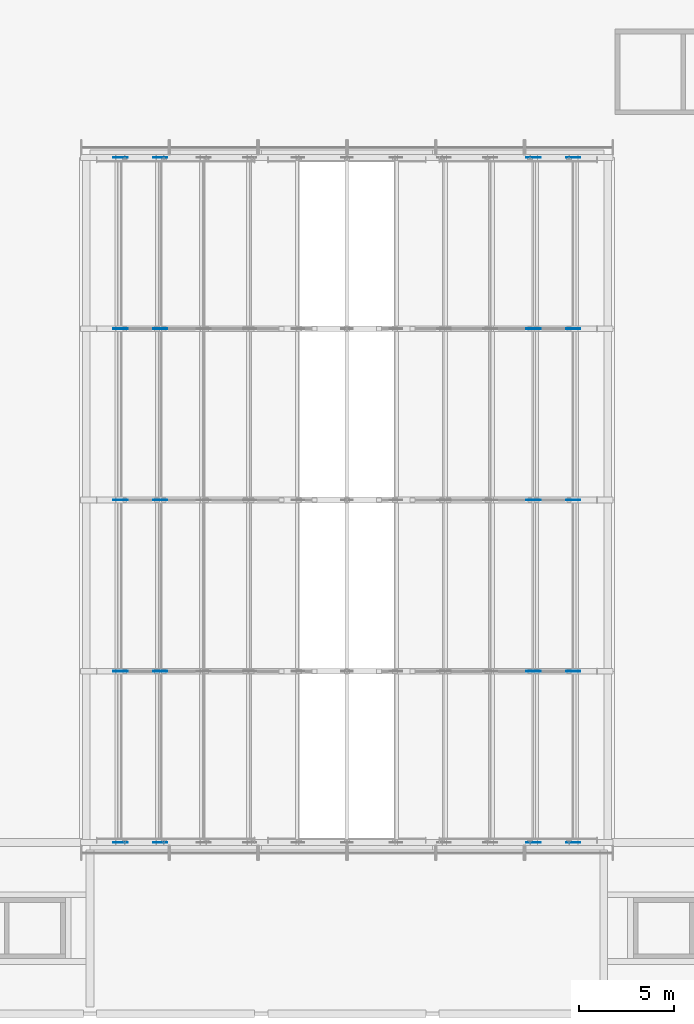
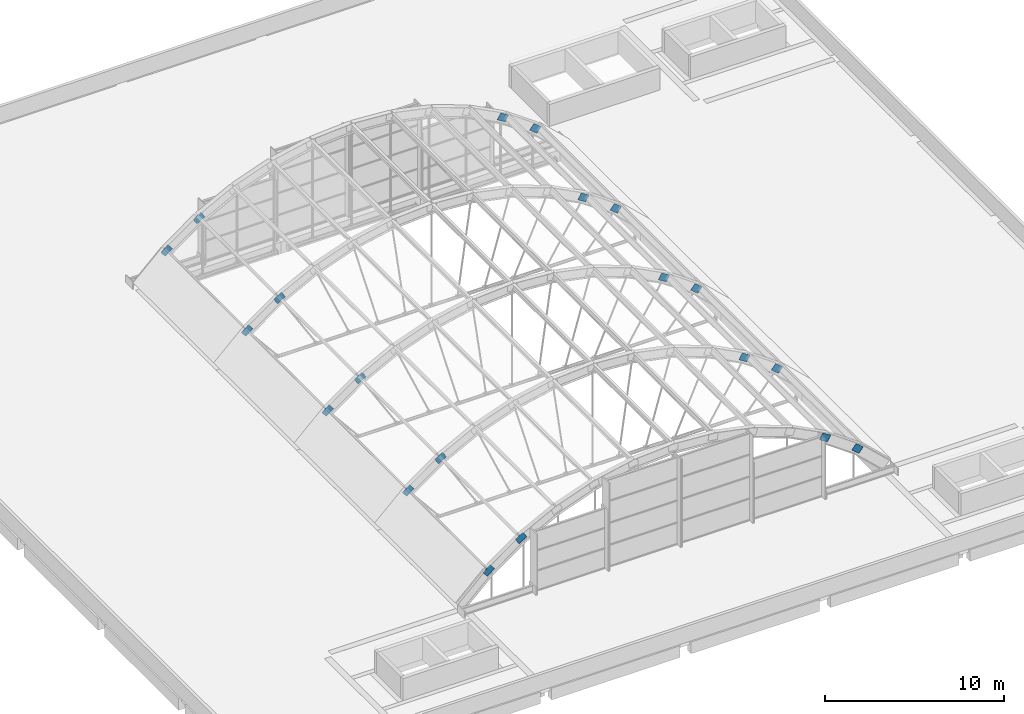
# One storey, part 36 of 43: 40 discrete accessories.
"""IFC4 building model written with IfcOpenShell, lengths in metres."""

import ifcopenshell
import ifcopenshell.guid

model = None  # the IFC model being written
_history = None  # IfcOwnerHistory: only IFC2X3 demands one
_inside = {}  # id of a spatial element -> (the spatial element, [elements in it])
_under = {}  # id of a project, library or spatial element -> (it, [spatial elements below it])
_declared = {}  # id of a project -> (the project, [libraries it declares])
_typed = {}  # id of a type object -> (the type object, [elements of that type])
_made_of = {}  # id of a material, layer set ... -> (it, [elements and type objects made of it])


def new_model(schema):
    """Start an empty IFC model of exactly this schema.

    Asked for "IFC4X3", IfcOpenShell would pick the latest addendum, in which some entities
    have other attributes; the version numbers below select the first issue.
    IFC2X3 requires an IfcOwnerHistory on every rooted entity: one is made here for all.
    """
    global model, _history
    if schema == "IFC4X3":
        model = ifcopenshell.file(schema_version=(4, 3, 0, 0))
    else:
        model = ifcopenshell.file(schema=schema)
    _inside.clear()
    _under.clear()
    _declared.clear()
    _typed.clear()
    _made_of.clear()
    _history = None
    if model.schema == "IFC2X3":
        org = make("IfcOrganization", Name="unknown")
        user = make(
            "IfcPersonAndOrganization",
            ThePerson=make("IfcPerson", FamilyName="unknown"),
            TheOrganization=org,
        )
        app = make(
            "IfcApplication",
            ApplicationDeveloper=org,
            Version="unknown",
            ApplicationFullName="unknown",
            ApplicationIdentifier="unknown",
        )
        _history = make(
            "IfcOwnerHistory",
            OwningUser=user,
            OwningApplication=app,
            ChangeAction="ADDED",
            CreationDate=0,
        )
    return model


def make(cls, **values):
    """One entity of the class cls with the attributes given. An attribute that is None is left unset."""
    return model.create_entity(
        cls, **{name: value for name, value in values.items() if value is not None}
    )


def rooted(cls, **values):
    """An entity with a GlobalId (a new one), such as an element, a storey or a relation."""
    return make(cls, GlobalId=ifcopenshell.guid.new(), OwnerHistory=_history, **values)


def si_unit(unit_type, name, prefix=None):
    """IfcSIUnit, for example si_unit("LENGTHUNIT", "METRE", prefix="MILLI")."""
    return make("IfcSIUnit", UnitType=unit_type, Prefix=prefix, Name=name)


def assignment(units):
    """IfcUnitAssignment: the units of a project."""
    return None if units is None else make("IfcUnitAssignment", Units=units)


def point(xyz):
    """IfcCartesianPoint."""
    return None if xyz is None else make("IfcCartesianPoint", Coordinates=xyz)


def direction(xyz):
    """IfcDirection."""
    return None if xyz is None else make("IfcDirection", DirectionRatios=xyz)


def frame(location, z_axis=None, x_axis=None):
    """IfcAxis2Placement3D, a coordinate frame: its origin and axes. An axis left out is left unset."""
    return make(
        "IfcAxis2Placement3D",
        Location=point(location),
        Axis=direction(z_axis),
        RefDirection=direction(x_axis),
    )


def frame_2d(location, x_axis=None):
    """IfcAxis2Placement2D, a coordinate frame in the plane: its origin and x axis."""
    return make(
        "IfcAxis2Placement2D", Location=point(location), RefDirection=direction(x_axis)
    )


def origin():
    """The frame at (0, 0, 0) with its axes left unset."""
    return frame((0.0, 0.0, 0.0))


def origin_2d():
    """The frame at (0, 0) in the plane with its x axis left unset."""
    return frame_2d((0.0, 0.0))


def place(relative_to, where):
    """IfcLocalPlacement: puts the frame where relative to a parent placement (None: the world)."""
    return make(
        "IfcLocalPlacement", PlacementRelTo=relative_to, RelativePlacement=where
    )


def context(
    kind, dimensions, precision=None, world=None, true_north=None, identifier=None
):
    """IfcGeometricRepresentationContext, for example the 3D "Model" context."""
    return make(
        "IfcGeometricRepresentationContext",
        ContextIdentifier=identifier,
        ContextType=kind,
        CoordinateSpaceDimension=dimensions,
        Precision=precision,
        WorldCoordinateSystem=world,
        TrueNorth=true_north,
    )


def subcontext(parent, identifier, kind, view, scale=None):
    """IfcGeometricRepresentationSubContext, for example "Body" below "Model"."""
    return make(
        "IfcGeometricRepresentationSubContext",
        ContextIdentifier=identifier,
        ContextType=kind,
        ParentContext=parent,
        TargetScale=scale,
        TargetView=view,
    )


def project(units=None, contexts=None):
    """IfcProject with its units and contexts."""
    return rooted(
        "IfcProject",
        Name="project",
        RepresentationContexts=contexts,
        UnitsInContext=assignment(units),
    )


def spatial(cls, under=None, at=None, **own):
    """A site, building, storey or space (cls), placed at a placement, below another one or the project."""
    s = rooted(cls, ObjectPlacement=at, **own)
    if under is not None:
        _under.setdefault(under.id(), (under, []))[1].append(s)
    return s


def profile(cls, at=None, kind="AREA", **sizes):
    """A parametric profile (cls). Its sizes go by their IFC names, for example OverallWidth=200.0."""
    return make(cls, ProfileType=kind, Position=at, **sizes)


def rectangle(**sizes):
    """IfcRectangleProfileDef."""
    return profile("IfcRectangleProfileDef", **sizes)


def extrude(swept, where, along, depth):
    """IfcExtrudedAreaSolid: the profile swept, set in the frame where, extruded along a direction by depth."""
    return make(
        "IfcExtrudedAreaSolid",
        SweptArea=swept,
        Position=where,
        ExtrudedDirection=direction(along),
        Depth=depth,
    )


def shape(context_of_items, identifier, shape_type, items):
    """IfcShapeRepresentation: the items that make up one representation, for example the "Body"."""
    return make(
        "IfcShapeRepresentation",
        ContextOfItems=context_of_items,
        RepresentationIdentifier=identifier,
        RepresentationType=shape_type,
        Items=items,
    )


def material(Name=None, Category=None):
    """IfcMaterial."""
    return make("IfcMaterial", Name=Name, Category=Category)


def material_profile(
    of_material, cross_section, Name=None, Category=None, Priority=None
):
    """IfcMaterialProfile: a cross section and its material."""
    return make(
        "IfcMaterialProfile",
        Name=Name,
        Material=of_material,
        Profile=cross_section,
        Priority=Priority,
        Category=Category,
    )


def profile_set(profiles, Name=None, composite=None):
    """IfcMaterialProfileSet."""
    return make(
        "IfcMaterialProfileSet",
        Name=Name,
        MaterialProfiles=profiles,
        CompositeProfile=composite,
    )


def made_of(thing, what):
    """Note that an element or type object is made of a material, layer set ...; save() writes the relation."""
    if what is not None:
        _made_of.setdefault(what.id(), (what, []))[1].append(thing)
    return thing


def type_object(cls, material=None, **own):
    """A type object (cls), such as IfcWallType, which elements share."""
    return made_of(rooted(cls, **own), material)


def element(
    cls,
    number,
    at=None,
    inside=None,
    cuts=None,
    type_object=None,
    material=None,
    context=None,
    identifier="Body",
    shape_type=None,
    held_by="IfcProductDefinitionShape",
    body=None,
    shapes=None,
    **own,
):
    """One element of the class cls, such as IfcWall. Its Tag is "e" and its number.

    at: its placement. inside: the storey or other place that contains it. cuts: it is an
    opening in that element (IfcRelVoidsElement). A single representation is given by context,
    identifier, shape_type and body (its items); several are given by shapes. held_by: the class
    of the entity that holds the representations. save() writes the other relations.
    """
    e = rooted(cls, Tag="e%d" % number, ObjectPlacement=at, **own)
    if body is not None:
        shapes = [shape(context, identifier, shape_type, body)]
    if shapes is not None:
        e.Representation = make(held_by, Representations=shapes)
    if inside is not None:
        _inside.setdefault(inside.id(), (inside, []))[1].append(e)
    if cuts is not None:
        rooted(
            "IfcRelVoidsElement", RelatingBuildingElement=cuts, RelatedOpeningElement=e
        )
    if type_object is not None:
        _typed.setdefault(type_object.id(), (type_object, []))[1].append(e)
    return made_of(e, material)


def aggregate(whole, parts):
    """IfcRelAggregates: a whole, such as a stair, and the parts it consists of."""
    return rooted("IfcRelAggregates", RelatingObject=whole, RelatedObjects=parts)


def save(model, path):
    """Write the relations noted so far, then the file.

    IfcRelAggregates (storeys below a building ...), IfcRelContainedInSpatialStructure (elements
    in a storey), IfcRelDefinesByType, IfcRelAssociatesMaterial and IfcRelDeclares: one each for
    every whole, place, type object, material and project.
    """
    for whole, parts in _under.values():
        aggregate(whole, parts)
    for where, things in _inside.values():
        rooted(
            "IfcRelContainedInSpatialStructure",
            RelatedElements=things,
            RelatingStructure=where,
        )
    for kind, things in _typed.values():
        rooted("IfcRelDefinesByType", RelatedObjects=things, RelatingType=kind)
    for what, things in _made_of.values():
        rooted("IfcRelAssociatesMaterial", RelatedObjects=things, RelatingMaterial=what)
    for by, libraries in _declared.values():
        rooted("IfcRelDeclares", RelatingContext=by, RelatedDefinitions=libraries)
    model.write(path)


model = new_model("IFC4")

# Units and contexts
model_context = context("Model", 3, precision=1e-05, world=origin(), true_north=direction((0.0, 1.0)))
body_context = subcontext(model_context, "Body", "Model", "MODEL_VIEW")
ifc_project = project(units=[si_unit("LENGTHUNIT", "METRE"), si_unit("AREAUNIT", "SQUARE_METRE"), si_unit("VOLUMEUNIT", "CUBIC_METRE"), si_unit("PLANEANGLEUNIT", "RADIAN"), si_unit("MASSUNIT", "GRAM", prefix="KILO")], contexts=[model_context])

# Site, building, storey
site_placement = place(None, origin())
site = spatial("IfcSite", under=ifc_project, at=site_placement, CompositionType="ELEMENT")
building_placement = place(site_placement, origin())
building = spatial("IfcBuilding", under=site, at=building_placement, Name="Guidao Yard Department Store", CompositionType="ELEMENT")
storey_placement = place(building_placement, frame((0.0, 0.0, 28.5)))
storey = spatial("IfcBuildingStorey", under=building, at=storey_placement, Name="L06", CompositionType="ELEMENT", Elevation=28.5)

# Discrete accessories
ifc_material = material(Name="Steel Q355B", Category="steel")
ifc_material_profile = material_profile(ifc_material, rectangle(XDim=0.011962890625, YDim=0.449951171875, at=origin_2d()), Name="Splice plate 450x12")
ifc_profile_set = profile_set([ifc_material_profile], Name="Steel Q355B")
discrete_accessory_type = type_object("IfcDiscreteAccessoryType", Name="Rib splice plate SP2 steel", PredefinedType="BRACKET", material=ifc_profile_set)
for number, where, z_axis, x_axis, name in (
    (1, (19.371826171875, 53.987548828125, 1.821533203125), (0.772704870869, 0.0, 0.634765454743), (0.0, 1.0, 0.0), "Rib splice plate A01-01A"),
    (2, (19.371826171875, 54.012451171875, 1.821533203125), (0.772704870869, 0.0, 0.634765454743), (0.0, 1.0, 0.0), "Rib splice plate A01-01B"),
):
    element("IfcDiscreteAccessory", number, at=place(storey_placement, frame(where, z_axis=z_axis, x_axis=x_axis)), inside=storey, type_object=discrete_accessory_type, Name=name, PredefinedType="BRACKET", context=body_context, shape_type="SweptSolid", body=[
        extrude(rectangle(XDim=0.011962890625, YDim=0.449951171875, at=origin_2d()), origin(), (0.0, 0.0, 1.0), 0.60009765625),
    ])
for number, where, z_axis, x_axis, name in (
    (3, (21.4375, 53.987548828125, 3.342529296875), (0.85289937616, 0.0, 0.522075333785), (0.0, 1.0, 0.0), "Rib splice plate A01-02A"),
    (4, (21.4375, 54.012451171875, 3.342529296875), (0.85289937616, 0.0, 0.522075333785), (0.0, 1.0, 0.0), "Rib splice plate A01-02B"),
    (5, (41.05078125, 53.987548828125, 3.65576171875), (0.85289937616, 0.0, -0.522075333785), (0.0, 1.0, 0.0), "Rib splice plate A01-10A"),
    (6, (41.05078125, 54.012451171875, 3.65576171875), (0.85289937616, 0.0, -0.522075333785), (0.0, 1.0, 0.0), "Rib splice plate A01-10B"),
):
    element("IfcDiscreteAccessory", number, at=place(storey_placement, frame(where, z_axis=z_axis, x_axis=x_axis)), inside=storey, type_object=discrete_accessory_type, Name=name, PredefinedType="BRACKET", context=body_context, shape_type="SweptSolid", body=[
        extrude(rectangle(XDim=0.011962890625, YDim=0.449951171875, at=origin_2d()), origin(), (0.0, 0.0, 1.0), 0.599853515625),
    ])
for number, where, z_axis, x_axis, name in (
    (7, (43.16455078125, 53.987548828125, 2.202392578125), (0.772704870869, 0.0, -0.634765454743), (0.0, 1.0, 0.0), "Rib splice plate A01-11A"),
    (8, (43.16455078125, 54.012451171875, 2.202392578125), (0.772704870869, 0.0, -0.634765454743), (0.0, 1.0, 0.0), "Rib splice plate A01-11B"),
    (9, (19.371826171875, 62.987548828125, 1.821533203125), (0.772704870869, 0.0, 0.634765454743), (0.0, 1.0, 0.0), "Rib splice plate A02-01A"),
    (10, (19.371826171875, 63.012451171875, 1.821533203125), (0.772704870869, 0.0, 0.634765454743), (0.0, 1.0, 0.0), "Rib splice plate A02-01B"),
):
    element("IfcDiscreteAccessory", number, at=place(storey_placement, frame(where, z_axis=z_axis, x_axis=x_axis)), inside=storey, type_object=discrete_accessory_type, Name=name, PredefinedType="BRACKET", context=body_context, shape_type="SweptSolid", body=[
        extrude(rectangle(XDim=0.011962890625, YDim=0.449951171875, at=origin_2d()), origin(), (0.0, 0.0, 1.0), 0.60009765625),
    ])
for number, where, z_axis, x_axis, name in (
    (11, (21.4375, 62.987548828125, 3.342529296875), (0.85289937616, 0.0, 0.522075333785), (0.0, 1.0, 0.0), "Rib splice plate A02-02A"),
    (12, (21.4375, 63.012451171875, 3.342529296875), (0.85289937616, 0.0, 0.522075333785), (0.0, 1.0, 0.0), "Rib splice plate A02-02B"),
    (13, (41.05078125, 62.987548828125, 3.65576171875), (0.85289937616, 0.0, -0.522075333785), (0.0, 1.0, 0.0), "Rib splice plate A02-10A"),
    (14, (41.05078125, 63.012451171875, 3.65576171875), (0.85289937616, 0.0, -0.522075333785), (0.0, 1.0, 0.0), "Rib splice plate A02-10B"),
):
    element("IfcDiscreteAccessory", number, at=place(storey_placement, frame(where, z_axis=z_axis, x_axis=x_axis)), inside=storey, type_object=discrete_accessory_type, Name=name, PredefinedType="BRACKET", context=body_context, shape_type="SweptSolid", body=[
        extrude(rectangle(XDim=0.011962890625, YDim=0.449951171875, at=origin_2d()), origin(), (0.0, 0.0, 1.0), 0.599853515625),
    ])
for number, where, z_axis, x_axis, name in (
    (15, (43.16455078125, 62.987548828125, 2.202392578125), (0.772704870869, 0.0, -0.634765454743), (0.0, 1.0, 0.0), "Rib splice plate A02-11A"),
    (16, (43.16455078125, 63.012451171875, 2.202392578125), (0.772704870869, 0.0, -0.634765454743), (0.0, 1.0, 0.0), "Rib splice plate A02-11B"),
    (17, (19.371826171875, 71.987548828125, 1.821533203125), (0.772704870869, 0.0, 0.634765454743), (0.0, 1.0, 0.0), "Rib splice plate A03-01A"),
    (18, (19.371826171875, 72.012451171875, 1.821533203125), (0.772704870869, 0.0, 0.634765454743), (0.0, 1.0, 0.0), "Rib splice plate A03-01B"),
):
    element("IfcDiscreteAccessory", number, at=place(storey_placement, frame(where, z_axis=z_axis, x_axis=x_axis)), inside=storey, type_object=discrete_accessory_type, Name=name, PredefinedType="BRACKET", context=body_context, shape_type="SweptSolid", body=[
        extrude(rectangle(XDim=0.011962890625, YDim=0.449951171875, at=origin_2d()), origin(), (0.0, 0.0, 1.0), 0.60009765625),
    ])
for number, where, z_axis, x_axis, name in (
    (19, (21.4375, 71.987548828125, 3.342529296875), (0.85289937616, 0.0, 0.522075333785), (0.0, 1.0, 0.0), "Rib splice plate A03-02A"),
    (20, (21.4375, 72.012451171875, 3.342529296875), (0.85289937616, 0.0, 0.522075333785), (0.0, 1.0, 0.0), "Rib splice plate A03-02B"),
    (21, (41.05078125, 71.987548828125, 3.65576171875), (0.85289937616, 0.0, -0.522075333785), (0.0, 1.0, 0.0), "Rib splice plate A03-10A"),
    (22, (41.05078125, 72.012451171875, 3.65576171875), (0.85289937616, 0.0, -0.522075333785), (0.0, 1.0, 0.0), "Rib splice plate A03-10B"),
):
    element("IfcDiscreteAccessory", number, at=place(storey_placement, frame(where, z_axis=z_axis, x_axis=x_axis)), inside=storey, type_object=discrete_accessory_type, Name=name, PredefinedType="BRACKET", context=body_context, shape_type="SweptSolid", body=[
        extrude(rectangle(XDim=0.011962890625, YDim=0.449951171875, at=origin_2d()), origin(), (0.0, 0.0, 1.0), 0.599853515625),
    ])
for number, where, z_axis, x_axis, name in (
    (23, (43.16455078125, 71.987548828125, 2.202392578125), (0.772704870869, 0.0, -0.634765454743), (0.0, 1.0, 0.0), "Rib splice plate A03-11A"),
    (24, (43.16455078125, 72.012451171875, 2.202392578125), (0.772704870869, 0.0, -0.634765454743), (0.0, 1.0, 0.0), "Rib splice plate A03-11B"),
    (25, (19.371826171875, 80.987548828125, 1.821533203125), (0.772704870869, 0.0, 0.634765454743), (0.0, 1.0, 0.0), "Rib splice plate A04-01A"),
    (26, (19.371826171875, 81.012451171875, 1.821533203125), (0.772704870869, 0.0, 0.634765454743), (0.0, 1.0, 0.0), "Rib splice plate A04-01B"),
):
    element("IfcDiscreteAccessory", number, at=place(storey_placement, frame(where, z_axis=z_axis, x_axis=x_axis)), inside=storey, type_object=discrete_accessory_type, Name=name, PredefinedType="BRACKET", context=body_context, shape_type="SweptSolid", body=[
        extrude(rectangle(XDim=0.011962890625, YDim=0.449951171875, at=origin_2d()), origin(), (0.0, 0.0, 1.0), 0.60009765625),
    ])
for number, where, z_axis, x_axis, name in (
    (27, (21.4375, 80.987548828125, 3.342529296875), (0.85289937616, 0.0, 0.522075333785), (0.0, 1.0, 0.0), "Rib splice plate A04-02A"),
    (28, (21.4375, 81.012451171875, 3.342529296875), (0.85289937616, 0.0, 0.522075333785), (0.0, 1.0, 0.0), "Rib splice plate A04-02B"),
    (29, (41.05078125, 80.987548828125, 3.65576171875), (0.85289937616, 0.0, -0.522075333785), (0.0, 1.0, 0.0), "Rib splice plate A04-10A"),
    (30, (41.05078125, 81.012451171875, 3.65576171875), (0.85289937616, 0.0, -0.522075333785), (0.0, 1.0, 0.0), "Rib splice plate A04-10B"),
):
    element("IfcDiscreteAccessory", number, at=place(storey_placement, frame(where, z_axis=z_axis, x_axis=x_axis)), inside=storey, type_object=discrete_accessory_type, Name=name, PredefinedType="BRACKET", context=body_context, shape_type="SweptSolid", body=[
        extrude(rectangle(XDim=0.011962890625, YDim=0.449951171875, at=origin_2d()), origin(), (0.0, 0.0, 1.0), 0.599853515625),
    ])
for number, where, z_axis, x_axis, name in (
    (31, (43.16455078125, 80.987548828125, 2.202392578125), (0.772704870869, 0.0, -0.634765454743), (0.0, 1.0, 0.0), "Rib splice plate A04-11A"),
    (32, (43.16455078125, 81.012451171875, 2.202392578125), (0.772704870869, 0.0, -0.634765454743), (0.0, 1.0, 0.0), "Rib splice plate A04-11B"),
    (33, (19.371826171875, 89.987548828125, 1.821533203125), (0.772704870869, 0.0, 0.634765454743), (0.0, 1.0, 0.0), "Rib splice plate A05-01A"),
    (34, (19.371826171875, 90.012451171875, 1.821533203125), (0.772704870869, 0.0, 0.634765454743), (0.0, 1.0, 0.0), "Rib splice plate A05-01B"),
):
    element("IfcDiscreteAccessory", number, at=place(storey_placement, frame(where, z_axis=z_axis, x_axis=x_axis)), inside=storey, type_object=discrete_accessory_type, Name=name, PredefinedType="BRACKET", context=body_context, shape_type="SweptSolid", body=[
        extrude(rectangle(XDim=0.011962890625, YDim=0.449951171875, at=origin_2d()), origin(), (0.0, 0.0, 1.0), 0.60009765625),
    ])
for number, where, z_axis, x_axis, name in (
    (35, (21.4375, 89.987548828125, 3.342529296875), (0.85289937616, 0.0, 0.522075333785), (0.0, 1.0, 0.0), "Rib splice plate A05-02A"),
    (36, (21.4375, 90.012451171875, 3.342529296875), (0.85289937616, 0.0, 0.522075333785), (0.0, 1.0, 0.0), "Rib splice plate A05-02B"),
    (37, (41.05078125, 89.987548828125, 3.65576171875), (0.85289937616, 0.0, -0.522075333785), (0.0, 1.0, 0.0), "Rib splice plate A05-10A"),
    (38, (41.05078125, 90.012451171875, 3.65576171875), (0.85289937616, 0.0, -0.522075333785), (0.0, 1.0, 0.0), "Rib splice plate A05-10B"),
):
    element("IfcDiscreteAccessory", number, at=place(storey_placement, frame(where, z_axis=z_axis, x_axis=x_axis)), inside=storey, type_object=discrete_accessory_type, Name=name, PredefinedType="BRACKET", context=body_context, shape_type="SweptSolid", body=[
        extrude(rectangle(XDim=0.011962890625, YDim=0.449951171875, at=origin_2d()), origin(), (0.0, 0.0, 1.0), 0.599853515625),
    ])
for number, where, z_axis, x_axis, name in (
    (39, (43.16455078125, 89.987548828125, 2.202392578125), (0.772704870869, 0.0, -0.634765454743), (0.0, 1.0, 0.0), "Rib splice plate A05-11A"),
    (40, (43.16455078125, 90.012451171875, 2.202392578125), (0.772704870869, 0.0, -0.634765454743), (0.0, 1.0, 0.0), "Rib splice plate A05-11B"),
):
    element("IfcDiscreteAccessory", number, at=place(storey_placement, frame(where, z_axis=z_axis, x_axis=x_axis)), inside=storey, type_object=discrete_accessory_type, Name=name, PredefinedType="BRACKET", context=body_context, shape_type="SweptSolid", body=[
        extrude(rectangle(XDim=0.011962890625, YDim=0.449951171875, at=origin_2d()), origin(), (0.0, 0.0, 1.0), 0.60009765625),
    ])

save(model, "model.ifc")
